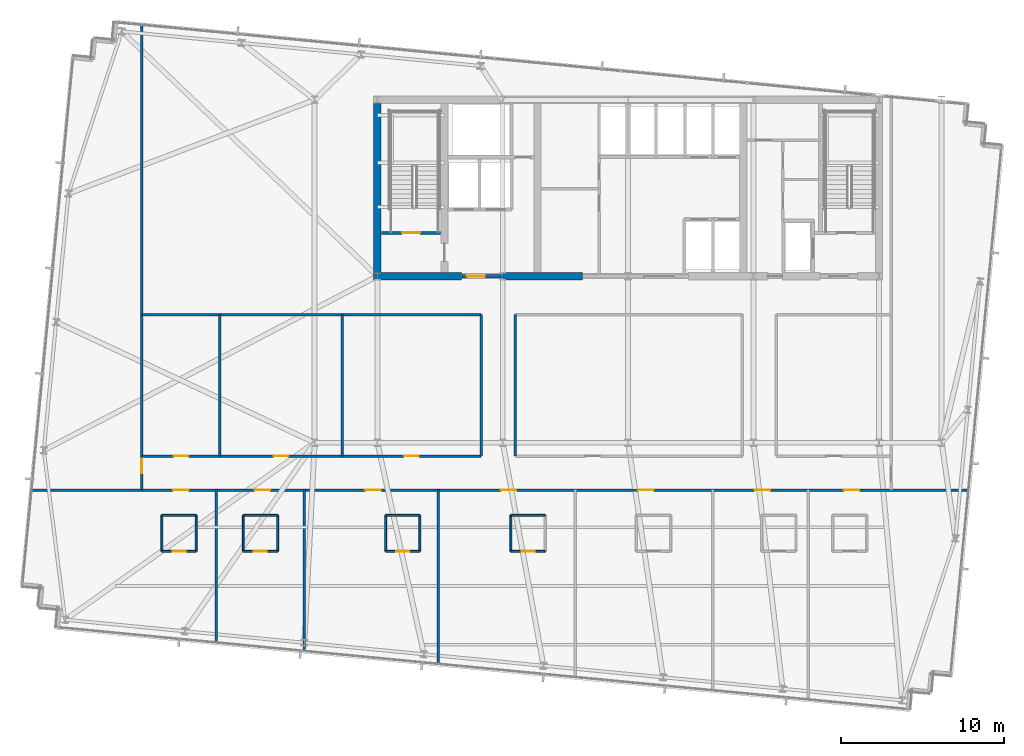
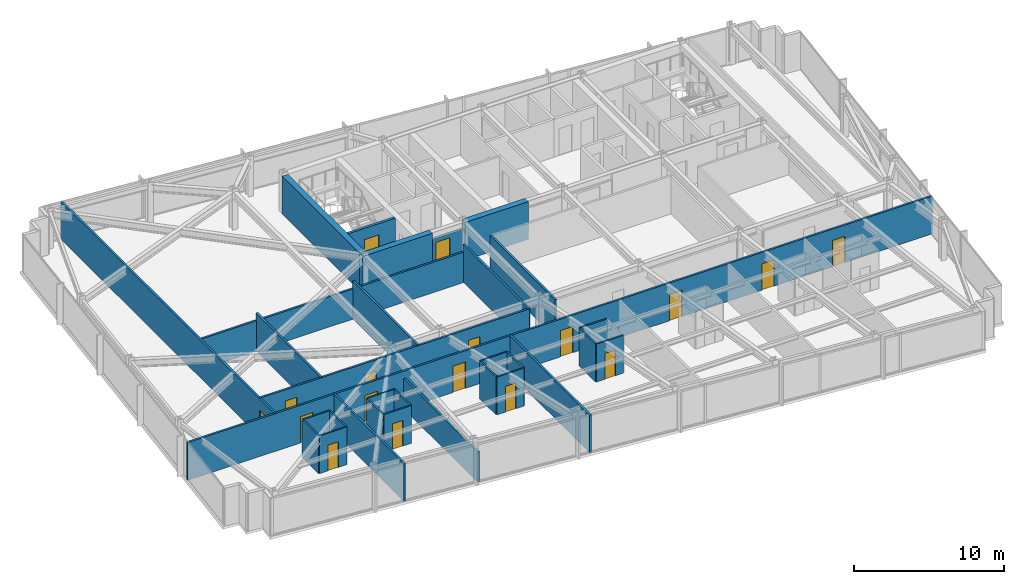
# One storey, part 29 of 37: 31 walls, 17 doors, 17 openings.
"""IFC4 building model written with IfcOpenShell, lengths in metres."""

from ifc_helpers import new_model, si_unit, direction, frame, frame_2d, origin, place, context, subcontext, project, spatial, rectangle, extrude, material, layer, layer_set, type_object, element, fill, save


model = new_model("IFC4")

# Units and contexts
model_context = context("Model", 3, precision=1e-05, world=origin(), true_north=direction((0.0, 1.0)))
body_context = subcontext(model_context, "Body", "Model", "MODEL_VIEW")
ifc_project = project(units=[si_unit("LENGTHUNIT", "METRE"), si_unit("AREAUNIT", "SQUARE_METRE"), si_unit("VOLUMEUNIT", "CUBIC_METRE"), si_unit("PLANEANGLEUNIT", "RADIAN"), si_unit("MASSUNIT", "GRAM", prefix="KILO")], contexts=[model_context])

# Site, building, storey
site_placement = place(None, origin())
site = spatial("IfcSite", under=ifc_project, at=site_placement, CompositionType="ELEMENT")
building_placement = place(site_placement, origin())
building = spatial("IfcBuilding", under=site, at=building_placement, Name="Yelkora Congress Tower", CompositionType="ELEMENT")
storey_placement = place(building_placement, frame((0.0, 0.0, 168.800048828125)))
storey = spatial("IfcBuildingStorey", under=building, at=storey_placement, Name="L46", CompositionType="ELEMENT", Elevation=168.800048828125)

# Walls
ifc_material_1 = material(Name="Concrete C60/75", Category="concrete")
ifc_layer_1 = layer(ifc_material_1, 0.449951171875)
ifc_layer_set_1 = layer_set([ifc_layer_1], Name="Concrete C60/75")
wall_type_1 = type_object("IfcWallType", Name="WALL-CORE-INT-450", PredefinedType="SHEAR", material=ifc_layer_set_1)
wall_1_placement = place(storey_placement, frame((22.81494140625, 35.39990234375, 0.0), z_axis=(0.0, 0.0, 1.0), x_axis=(1.0, 0.0, 0.0)))
element("IfcWall", 1, at=wall_1_placement, inside=storey, type_object=wall_type_1, Name="L46 Rear Core South-West Shear Wall", PredefinedType="SHEAR", context=body_context, shape_type="SweptSolid", body=[
    extrude(rectangle(XDim=5.385009765625, YDim=0.449951171875, at=frame_2d((2.6923828125, 0.0))), origin(), (0.0, 0.0, 1.0), 3.079833984375),
])
wall_2_placement = place(storey_placement, frame((30.719970703125, 35.39990234375, 0.0), z_axis=(0.0, 0.0, 1.0), x_axis=(1.0, 0.0, 0.0)))
element("IfcWall", 2, at=wall_2_placement, inside=storey, type_object=wall_type_1, Name="L46 Rear Core South-Center Shear Pier", PredefinedType="SHEAR", context=body_context, shape_type="SweptSolid", body=[
    extrude(rectangle(XDim=4.880126953125, YDim=0.449951171875, at=frame_2d((2.43994140625, 0.0))), origin(), (0.0, 0.0, 1.0), 3.079833984375),
])
wall_3_placement = place(storey_placement, frame((23.0400390625, 35.625, 0.0), z_axis=(0.0, 0.0, 1.0), x_axis=(0.0, 1.0, 0.0)))
element("IfcWall", 3, at=wall_3_placement, inside=storey, type_object=wall_type_1, Name="L46 Rear Core Cross Shear Wall W", PredefinedType="SHEAR", context=body_context, shape_type="SweptSolid", body=[
    extrude(rectangle(XDim=10.35009765625, YDim=0.449951171875, at=frame_2d((5.175048828125, 0.0))), origin(), (0.0, 0.0, 1.0), 3.079833984375),
])
ifc_material_2 = material(Name="Moisture-resistant gypsum partition", Category="gypsum")
ifc_layer_2 = layer(ifc_material_2, 0.1201171875)
ifc_layer_set_2 = layer_set([ifc_layer_2], Name="Moisture-resistant gypsum partition")
wall_type_2 = type_object("IfcWallType", Name="WALL-INT-120-NR", PredefinedType="PARTITIONING", material=ifc_layer_set_2)
wall_4_placement = place(storey_placement, frame((9.842041015625, 20.75, 0.0), z_axis=(0.0, 0.0, 1.0), x_axis=(1.0, 0.0, 0.0)))
element("IfcWall", 4, at=wall_4_placement, inside=storey, type_object=wall_type_2, Name="L46 Partition Wall 27", PredefinedType="PARTITIONING", context=body_context, shape_type="SweptSolid", body=[
    extrude(rectangle(XDim=2.099853515625, YDim=0.1201171875, at=frame_2d((1.0498046875, 0.0))), origin(), (0.0, 0.0, 1.0), 3.079833984375),
])
for number, where, z_axis, x_axis, name in (
    (5, (9.842041015625, 18.550048828125, 0.0), (0.0, 0.0, 1.0), (0.0, 1.0, 0.0), "L46 Partition Wall 28"),
    (6, (11.94189453125, 18.550048828125, 0.0), (0.0, 0.0, 1.0), (0.0, 1.0, 0.0), "L46 Partition Wall 29"),
):
    element("IfcWall", number, at=place(storey_placement, frame(where, z_axis=z_axis, x_axis=x_axis)), inside=storey, type_object=wall_type_2, Name=name, PredefinedType="PARTITIONING", context=body_context, shape_type="SweptSolid", body=[
        extrude(rectangle(XDim=2.199951171875, YDim=0.1201171875, at=frame_2d((1.10009765625, 0.0))), origin(), (0.0, 0.0, 1.0), 3.079833984375),
    ])

# Wall, opening, door
wall_5_placement = place(storey_placement, frame((9.842041015625, 18.550048828125, 0.0), z_axis=(0.0, 0.0, 1.0), x_axis=(1.0, 0.0, 0.0)))
wall_5 = element("IfcWall", 7, at=wall_5_placement, inside=storey, type_object=wall_type_2, Name="L46 Partition Wall 30", PredefinedType="PARTITIONING", context=body_context, shape_type="SweptSolid", body=[
    extrude(rectangle(XDim=2.099853515625, YDim=0.1201171875, at=frame_2d((1.0498046875, 0.0))), origin(), (0.0, 0.0, 1.0), 3.079833984375),
])
opening_1_placement = place(wall_5_placement, frame((0.64990234375, 0.0, 0.0)))
opening_1 = element("IfcOpeningElement", 8, at=opening_1_placement, cuts=wall_5, Name="Opening DR-080B", PredefinedType="OPENING", context=body_context, shape_type="SweptSolid", body=[
    extrude(rectangle(XDim=0.800048828125, YDim=2.10009765625, at=frame_2d((0.39990234375, 1.050048828125))), frame((0.0, 0.070068359375, 0.0), z_axis=(0.0, -1.0, 0.0), x_axis=(1.0, 0.0, 0.0)), (0.0, 0.0, 1.0), 0.14013671875),
])
ifc_material_3 = material(Name="Moisture-sealed en-suite timber door", Category="wood")
door_type_1 = type_object("IfcDoorType", Name="DOOR-BATH-800", OperationType="NOTDEFINED", PredefinedType="DOOR", material=ifc_material_3)
door_1_placement = place(opening_1_placement, origin())
door_1 = element("IfcDoor", 9, at=door_1_placement, inside=storey, type_object=door_type_1, Name="L46 En-suite Door 1", OperationType="SINGLE_SWING_LEFT", OverallHeight=2.10009765625, OverallWidth=0.800048828125, PredefinedType="DOOR", context=body_context, shape_type="SweptSolid", body=[
    extrude(rectangle(XDim=0.800048828125, YDim=2.10009765625, at=frame_2d((0.39990234375, 1.050048828125))), frame((0.0, 0.02490234375, 0.0), z_axis=(0.0, -1.0, 0.0), x_axis=(1.0, 0.0, 0.0)), (0.0, 0.0, 1.0), 0.050048828125),
])
fill(opening_1, door_1)

# Walls
wall_6_placement = place(storey_placement, frame((14.823974609375, 20.75, 0.0), z_axis=(0.0, 0.0, 1.0), x_axis=(1.0, 0.0, 0.0)))
element("IfcWall", 10, at=wall_6_placement, inside=storey, type_object=wall_type_2, Name="L46 Partition Wall 31", PredefinedType="PARTITIONING", context=body_context, shape_type="SweptSolid", body=[
    extrude(rectangle(XDim=2.10009765625, YDim=0.1201171875, at=frame_2d((1.050048828125, 0.0))), origin(), (0.0, 0.0, 1.0), 3.079833984375),
])
for number, where, z_axis, x_axis, name in (
    (11, (14.823974609375, 18.550048828125, 0.0), (0.0, 0.0, 1.0), (0.0, 1.0, 0.0), "L46 Partition Wall 32"),
    (12, (16.924072265625, 18.550048828125, 0.0), (0.0, 0.0, 1.0), (0.0, 1.0, 0.0), "L46 Partition Wall 33"),
):
    element("IfcWall", number, at=place(storey_placement, frame(where, z_axis=z_axis, x_axis=x_axis)), inside=storey, type_object=wall_type_2, Name=name, PredefinedType="PARTITIONING", context=body_context, shape_type="SweptSolid", body=[
        extrude(rectangle(XDim=2.199951171875, YDim=0.1201171875, at=frame_2d((1.10009765625, 0.0))), origin(), (0.0, 0.0, 1.0), 3.079833984375),
    ])

# Wall, opening, door
wall_7_placement = place(storey_placement, frame((14.823974609375, 18.550048828125, 0.0), z_axis=(0.0, 0.0, 1.0), x_axis=(1.0, 0.0, 0.0)))
wall_7 = element("IfcWall", 13, at=wall_7_placement, inside=storey, type_object=wall_type_2, Name="L46 Partition Wall 34", PredefinedType="PARTITIONING", context=body_context, shape_type="SweptSolid", body=[
    extrude(rectangle(XDim=2.10009765625, YDim=0.1201171875, at=frame_2d((1.050048828125, 0.0))), origin(), (0.0, 0.0, 1.0), 3.079833984375),
])
opening_2_placement = place(wall_7_placement, frame((0.64990234375, 0.0, 0.0)))
opening_2 = element("IfcOpeningElement", 14, at=opening_2_placement, cuts=wall_7, Name="Opening DR-080B", PredefinedType="OPENING", context=body_context, shape_type="SweptSolid", body=[
    extrude(rectangle(XDim=0.800048828125, YDim=2.10009765625, at=frame_2d((0.39990234375, 1.050048828125))), frame((0.0, 0.070068359375, 0.0), z_axis=(0.0, -1.0, 0.0), x_axis=(1.0, 0.0, 0.0)), (0.0, 0.0, 1.0), 0.14013671875),
])
door_2_placement = place(opening_2_placement, origin())
door_2 = element("IfcDoor", 15, at=door_2_placement, inside=storey, type_object=door_type_1, Name="L46 En-suite Door 2", OperationType="SINGLE_SWING_RIGHT", OverallHeight=2.10009765625, OverallWidth=0.800048828125, PredefinedType="DOOR", context=body_context, shape_type="SweptSolid", body=[
    extrude(rectangle(XDim=0.800048828125, YDim=2.10009765625, at=frame_2d((0.39990234375, 1.050048828125))), frame((0.0, 0.02490234375, 0.0), z_axis=(0.0, -1.0, 0.0), x_axis=(1.0, 0.0, 0.0)), (0.0, 0.0, 1.0), 0.050048828125),
])
fill(opening_2, door_2)

# Walls
wall_8_placement = place(storey_placement, frame((23.5400390625, 20.75, 0.0), z_axis=(0.0, 0.0, 1.0), x_axis=(1.0, 0.0, 0.0)))
element("IfcWall", 16, at=wall_8_placement, inside=storey, type_object=wall_type_2, Name="L46 Partition Wall 36", PredefinedType="PARTITIONING", context=body_context, shape_type="SweptSolid", body=[
    extrude(rectangle(XDim=2.099853515625, YDim=0.1201171875, at=frame_2d((1.0498046875, 0.0))), origin(), (0.0, 0.0, 1.0), 3.079833984375),
])
for number, where, z_axis, x_axis, name in (
    (17, (23.5400390625, 18.550048828125, 0.0), (0.0, 0.0, 1.0), (0.0, 1.0, 0.0), "L46 Partition Wall 37"),
    (18, (25.639892578125, 18.550048828125, 0.0), (0.0, 0.0, 1.0), (0.0, 1.0, 0.0), "L46 Partition Wall 38"),
):
    element("IfcWall", number, at=place(storey_placement, frame(where, z_axis=z_axis, x_axis=x_axis)), inside=storey, type_object=wall_type_2, Name=name, PredefinedType="PARTITIONING", context=body_context, shape_type="SweptSolid", body=[
        extrude(rectangle(XDim=2.199951171875, YDim=0.1201171875, at=frame_2d((1.10009765625, 0.0))), origin(), (0.0, 0.0, 1.0), 3.079833984375),
    ])

# Wall, opening, door
wall_9_placement = place(storey_placement, frame((23.5400390625, 18.550048828125, 0.0), z_axis=(0.0, 0.0, 1.0), x_axis=(1.0, 0.0, 0.0)))
wall_9 = element("IfcWall", 19, at=wall_9_placement, inside=storey, type_object=wall_type_2, Name="L46 Partition Wall 39", PredefinedType="PARTITIONING", context=body_context, shape_type="SweptSolid", body=[
    extrude(rectangle(XDim=2.099853515625, YDim=0.1201171875, at=frame_2d((1.0498046875, 0.0))), origin(), (0.0, 0.0, 1.0), 3.079833984375),
])
opening_3_placement = place(wall_9_placement, frame((0.64990234375, 0.0, 0.0)))
opening_3 = element("IfcOpeningElement", 20, at=opening_3_placement, cuts=wall_9, Name="Opening DR-080B", PredefinedType="OPENING", context=body_context, shape_type="SweptSolid", body=[
    extrude(rectangle(XDim=0.800048828125, YDim=2.10009765625, at=frame_2d((0.39990234375, 1.050048828125))), frame((0.0, 0.070068359375, 0.0), z_axis=(0.0, -1.0, 0.0), x_axis=(1.0, 0.0, 0.0)), (0.0, 0.0, 1.0), 0.14013671875),
])
door_3_placement = place(opening_3_placement, origin())
door_3 = element("IfcDoor", 21, at=door_3_placement, inside=storey, type_object=door_type_1, Name="L46 En-suite Door 3", OperationType="SINGLE_SWING_LEFT", OverallHeight=2.10009765625, OverallWidth=0.800048828125, PredefinedType="DOOR", context=body_context, shape_type="SweptSolid", body=[
    extrude(rectangle(XDim=0.800048828125, YDim=2.10009765625, at=frame_2d((0.39990234375, 1.050048828125))), frame((0.0, 0.02490234375, 0.0), z_axis=(0.0, -1.0, 0.0), x_axis=(1.0, 0.0, 0.0)), (0.0, 0.0, 1.0), 0.050048828125),
])
fill(opening_3, door_3)

# Walls
wall_10_placement = place(storey_placement, frame((31.219970703125, 20.75, 0.0), z_axis=(0.0, 0.0, 1.0), x_axis=(1.0, 0.0, 0.0)))
element("IfcWall", 22, at=wall_10_placement, inside=storey, type_object=wall_type_2, Name="L46 Partition Wall 41", PredefinedType="PARTITIONING", context=body_context, shape_type="SweptSolid", body=[
    extrude(rectangle(XDim=2.10009765625, YDim=0.1201171875, at=frame_2d((1.050048828125, 0.0))), origin(), (0.0, 0.0, 1.0), 3.079833984375),
])
wall_11_placement = place(storey_placement, frame((31.219970703125, 18.550048828125, 0.0), z_axis=(0.0, 0.0, 1.0), x_axis=(0.0, 1.0, 0.0)))
element("IfcWall", 23, at=wall_11_placement, inside=storey, type_object=wall_type_2, Name="L46 Partition Wall 42", PredefinedType="PARTITIONING", context=body_context, shape_type="SweptSolid", body=[
    extrude(rectangle(XDim=2.199951171875, YDim=0.1201171875, at=frame_2d((1.10009765625, 0.0))), origin(), (0.0, 0.0, 1.0), 3.079833984375),
])

# Wall, opening, door
wall_12_placement = place(storey_placement, frame((31.219970703125, 18.550048828125, 0.0), z_axis=(0.0, 0.0, 1.0), x_axis=(1.0, 0.0, 0.0)))
wall_12 = element("IfcWall", 24, at=wall_12_placement, inside=storey, type_object=wall_type_2, Name="L46 Partition Wall 44", PredefinedType="PARTITIONING", context=body_context, shape_type="SweptSolid", body=[
    extrude(rectangle(XDim=2.10009765625, YDim=0.1201171875, at=frame_2d((1.050048828125, 0.0))), origin(), (0.0, 0.0, 1.0), 3.079833984375),
])
opening_4_placement = place(wall_12_placement, frame((0.64990234375, 0.0, 0.0)))
opening_4 = element("IfcOpeningElement", 25, at=opening_4_placement, cuts=wall_12, Name="Opening DR-080B", PredefinedType="OPENING", context=body_context, shape_type="SweptSolid", body=[
    extrude(rectangle(XDim=0.800048828125, YDim=2.10009765625, at=frame_2d((0.39990234375, 1.050048828125))), frame((0.0, 0.070068359375, 0.0), z_axis=(0.0, -1.0, 0.0), x_axis=(1.0, 0.0, 0.0)), (0.0, 0.0, 1.0), 0.14013671875),
])
door_4_placement = place(opening_4_placement, origin())
door_4 = element("IfcDoor", 26, at=door_4_placement, inside=storey, type_object=door_type_1, Name="L46 En-suite Door 4", OperationType="SINGLE_SWING_RIGHT", OverallHeight=2.10009765625, OverallWidth=0.800048828125, PredefinedType="DOOR", context=body_context, shape_type="SweptSolid", body=[
    extrude(rectangle(XDim=0.800048828125, YDim=2.10009765625, at=frame_2d((0.39990234375, 1.050048828125))), frame((0.0, 0.02490234375, 0.0), z_axis=(0.0, -1.0, 0.0), x_axis=(1.0, 0.0, 0.0)), (0.0, 0.0, 1.0), 0.050048828125),
])
fill(opening_4, door_4)

ifc_material_4 = material(Name="Acoustic metal-stud gypsum partition", Category="gypsum")
ifc_layer_3 = layer(ifc_material_4, 0.14990234375)
ifc_layer_set_3 = layer_set([ifc_layer_3], Name="Acoustic metal-stud gypsum partition")
wall_type_3 = type_object("IfcWallType", Name="WALL-INT-150-NR", PredefinedType="PARTITIONING", material=ifc_layer_set_3)
wall_13_placement = place(storey_placement, frame((8.60107421875, 22.300048828125, 0.0), z_axis=(0.0, 0.0, 1.0), x_axis=(0.0, 1.0, 0.0)))
wall_13 = element("IfcWall", 27, at=wall_13_placement, inside=storey, type_object=wall_type_3, Name="L46 Partition Wall 62", PredefinedType="PARTITIONING", context=body_context, shape_type="SweptSolid", body=[
    extrude(rectangle(XDim=28.546630859375, YDim=0.14990234375, at=frame_2d((14.2734375, 0.0))), origin(), (0.0, 0.0, 1.0), 3.079833984375),
])
opening_5_placement = place(wall_13_placement, frame((1.030029296875, 0.0, 0.0)))
opening_5 = element("IfcOpeningElement", 28, at=opening_5_placement, cuts=wall_13, Name="Opening DR-090N", PredefinedType="OPENING", context=body_context, shape_type="SweptSolid", body=[
    extrude(rectangle(XDim=0.89990234375, YDim=2.14990234375, at=frame_2d((0.449951171875, 1.074951171875))), frame((0.0, 0.0849609375, 0.0), z_axis=(0.0, -1.0, 0.0), x_axis=(1.0, 0.0, 0.0)), (0.0, 0.0, 1.0), 0.169921875),
])
ifc_material_5 = material(Name="Moisture-resistant laminate door leaf", Category="wood")
door_type_2 = type_object("IfcDoorType", Name="DOOR-INT-900", OperationType="NOTDEFINED", PredefinedType="DOOR", material=ifc_material_5)
door_5_placement = place(opening_5_placement, origin())
door_5 = element("IfcDoor", 29, at=door_5_placement, inside=storey, type_object=door_type_2, Name="L46 W Wing Door", OperationType="SINGLE_SWING_LEFT", OverallHeight=2.14990234375, OverallWidth=0.89990234375, PredefinedType="DOOR", context=body_context, shape_type="SweptSolid", body=[
    extrude(rectangle(XDim=0.89990234375, YDim=2.14990234375, at=frame_2d((0.449951171875, 1.074951171875))), frame((0.0, 0.02490234375, 0.0), z_axis=(0.0, -1.0, 0.0), x_axis=(1.0, 0.0, 0.0)), (0.0, 0.0, 1.0), 0.050048828125),
])
fill(opening_5, door_5)

# Walls
for number, where, z_axis, x_axis, name in (
    (30, (29.39990234375, 24.3798828125, 0.0), (0.0, 0.0, 1.0), (0.0, 1.0, 0.0), "L46 Partition Wall 64"),
    (31, (31.47998046875, 24.3798828125, 0.0), (0.0, 0.0, 1.0), (0.0, 1.0, 0.0), "L46 Partition Wall 65"),
):
    element("IfcWall", number, at=place(storey_placement, frame(where, z_axis=z_axis, x_axis=x_axis)), inside=storey, type_object=wall_type_3, Name=name, PredefinedType="PARTITIONING", context=body_context, shape_type="SweptSolid", body=[
        extrude(rectangle(XDim=8.670166015625, YDim=0.14990234375, at=frame_2d((4.3349609375, 0.0))), origin(), (0.0, 0.0, 1.0), 3.079833984375),
    ])
wall_14_placement = place(storey_placement, frame((8.60107421875, 33.050048828125, 0.0), z_axis=(0.0, 0.0, 1.0), x_axis=(1.0, 0.0, 0.0)))
element("IfcWall", 32, at=wall_14_placement, inside=storey, type_object=wall_type_3, Name="L46 Partition Wall 68", PredefinedType="PARTITIONING", context=body_context, shape_type="SweptSolid", body=[
    extrude(rectangle(XDim=20.798828125, YDim=0.14990234375, at=frame_2d((10.3994140625, 0.0))), origin(), (0.0, 0.0, 1.0), 2.474853515625),
])
for number, where, z_axis, x_axis, name in (
    (33, (13.39794921875, 24.3798828125, 0.0), (0.0, 0.0, 1.0), (0.0, 1.0, 0.0), "L46 Partition Wall 71"),
    (34, (20.875, 24.3798828125, 0.0), (0.0, 0.0, 1.0), (0.0, 1.0, 0.0), "L46 Partition Wall 72"),
):
    element("IfcWall", number, at=place(storey_placement, frame(where, z_axis=z_axis, x_axis=x_axis)), inside=storey, type_object=wall_type_3, Name=name, PredefinedType="PARTITIONING", context=body_context, shape_type="SweptSolid", body=[
        extrude(rectangle(XDim=8.670166015625, YDim=0.14990234375, at=frame_2d((4.3349609375, 0.0))), origin(), (0.0, 0.0, 1.0), 3.079833984375),
    ])

# Wall, openings, doors
wall_15_placement = place(storey_placement, frame((8.62109375, 24.3798828125, 0.0), z_axis=(0.0, 0.0, 1.0), x_axis=(1.0, 0.0, 0.0)))
wall_15 = element("IfcWall", 35, at=wall_15_placement, inside=storey, type_object=wall_type_3, Name="L46 Partition Wall 73", PredefinedType="PARTITIONING", context=body_context, shape_type="SweptSolid", body=[
    extrude(rectangle(XDim=20.768798828125, YDim=0.14990234375, at=frame_2d((10.38427734375, 0.0))), origin(), (0.0, 0.0, 1.0), 3.079833984375),
])
opening_6_placement = place(wall_15_placement, frame((1.9384765625, 0.0, 0.0)))
opening_6 = element("IfcOpeningElement", 36, at=opening_6_placement, cuts=wall_15, Name="Opening DR-090N", PredefinedType="OPENING", context=body_context, shape_type="SweptSolid", body=[
    extrude(rectangle(XDim=0.89990234375, YDim=2.14990234375, at=frame_2d((0.449951171875, 1.074951171875))), frame((0.0, 0.0849609375, 0.0), z_axis=(0.0, -1.0, 0.0), x_axis=(1.0, 0.0, 0.0)), (0.0, 0.0, 1.0), 0.169921875),
])
opening_7_placement = place(wall_15_placement, frame((8.0654296875, 0.0, 0.0)))
opening_7 = element("IfcOpeningElement", 37, at=opening_7_placement, cuts=wall_15, Name="Opening DR-090N", PredefinedType="OPENING", context=body_context, shape_type="SweptSolid", body=[
    extrude(rectangle(XDim=0.89990234375, YDim=2.14990234375, at=frame_2d((0.449951171875, 1.074951171875))), frame((0.0, 0.0849609375, 0.0), z_axis=(0.0, -1.0, 0.0), x_axis=(1.0, 0.0, 0.0)), (0.0, 0.0, 1.0), 0.169921875),
])
opening_8_placement = place(wall_15_placement, frame((16.0615234375, 0.0, 0.0)))
opening_8 = element("IfcOpeningElement", 38, at=opening_8_placement, cuts=wall_15, Name="Opening DR-090N", PredefinedType="OPENING", context=body_context, shape_type="SweptSolid", body=[
    extrude(rectangle(XDim=0.89990234375, YDim=2.14990234375, at=frame_2d((0.449951171875, 1.074951171875))), frame((0.0, 0.0849609375, 0.0), z_axis=(0.0, -1.0, 0.0), x_axis=(1.0, 0.0, 0.0)), (0.0, 0.0, 1.0), 0.169921875),
])
door_6_placement = place(opening_6_placement, origin())
door_6 = element("IfcDoor", 39, at=door_6_placement, inside=storey, type_object=door_type_2, Name="L46 Housekeeping & Linen Room Door", OperationType="SINGLE_SWING_LEFT", OverallHeight=2.14990234375, OverallWidth=0.89990234375, PredefinedType="DOOR", context=body_context, shape_type="SweptSolid", body=[
    extrude(rectangle(XDim=0.89990234375, YDim=2.14990234375, at=frame_2d((0.449951171875, 1.074951171875))), frame((0.0, 0.02490234375, 0.0), z_axis=(0.0, -1.0, 0.0), x_axis=(1.0, 0.0, 0.0)), (0.0, 0.0, 1.0), 0.050048828125),
])
fill(opening_6, door_6)
door_7_placement = place(opening_7_placement, origin())
door_7 = element("IfcDoor", 40, at=door_7_placement, inside=storey, type_object=door_type_2, Name="L46 Diplomatic Day Lounge Door", OperationType="SINGLE_SWING_RIGHT", OverallHeight=2.14990234375, OverallWidth=0.89990234375, PredefinedType="DOOR", context=body_context, shape_type="SweptSolid", body=[
    extrude(rectangle(XDim=0.89990234375, YDim=2.14990234375, at=frame_2d((0.449951171875, 1.074951171875))), frame((0.0, 0.02490234375, 0.0), z_axis=(0.0, -1.0, 0.0), x_axis=(1.0, 0.0, 0.0)), (0.0, 0.0, 1.0), 0.050048828125),
])
fill(opening_7, door_7)
door_8_placement = place(opening_8_placement, origin())
door_8 = element("IfcDoor", 41, at=door_8_placement, inside=storey, type_object=door_type_2, Name="L46 First-Aid Treatment Room Door", OperationType="SINGLE_SWING_LEFT", OverallHeight=2.14990234375, OverallWidth=0.89990234375, PredefinedType="DOOR", context=body_context, shape_type="SweptSolid", body=[
    extrude(rectangle(XDim=0.89990234375, YDim=2.14990234375, at=frame_2d((0.449951171875, 1.074951171875))), frame((0.0, 0.02490234375, 0.0), z_axis=(0.0, -1.0, 0.0), x_axis=(1.0, 0.0, 0.0)), (0.0, 0.0, 1.0), 0.050048828125),
])
fill(opening_8, door_8)

# Walls
ifc_material_6 = material(Name="Twin-stud fire-rated gypsum partition", Category="gypsum")
ifc_layer_4 = layer(ifc_material_6, 0.14990234375)
ifc_layer_set_4 = layer_set([ifc_layer_4], Name="Twin-stud fire-rated gypsum partition")
wall_type_4 = type_object("IfcWallType", Name="WALL-INT-150-R60", PredefinedType="PARTITIONING", material=ifc_layer_set_4)
wall_16_placement = place(storey_placement, frame((13.18310546875, 12.892578125, 0.0), z_axis=(0.0, 0.0, 1.0), x_axis=(0.0, 1.0, 0.0)))
element("IfcWall", 42, at=wall_16_placement, inside=storey, type_object=wall_type_4, Name="L46 Partition Wall 35", PredefinedType="PARTITIONING", context=body_context, shape_type="SweptSolid", body=[
    extrude(rectangle(XDim=9.427490234375, YDim=0.14990234375, at=frame_2d((4.7138671875, 0.0))), origin(), (0.0, 0.0, 1.0), 3.079833984375),
])
wall_17_placement = place(storey_placement, frame((18.56591796875, 12.374267578125, 0.0), z_axis=(0.0, 0.0, 1.0), x_axis=(0.0, 1.0, 0.0)))
element("IfcWall", 43, at=wall_17_placement, inside=storey, type_object=wall_type_4, Name="L46 Partition Wall 40", PredefinedType="PARTITIONING", context=body_context, shape_type="SweptSolid", body=[
    extrude(rectangle(XDim=9.94580078125, YDim=0.14990234375, at=frame_2d((4.972900390625, 0.0))), origin(), (0.0, 0.0, 1.0), 2.474853515625),
])
wall_18_placement = place(storey_placement, frame((26.76806640625, 11.584716796875, 0.0), z_axis=(0.0, 0.0, 1.0), x_axis=(0.0, 1.0, 0.0)))
element("IfcWall", 44, at=wall_18_placement, inside=storey, type_object=wall_type_4, Name="L46 Partition Wall 45", PredefinedType="PARTITIONING", context=body_context, shape_type="SweptSolid", body=[
    extrude(rectangle(XDim=10.7353515625, YDim=0.14990234375, at=frame_2d((5.36767578125, 0.0))), origin(), (0.0, 0.0, 1.0), 3.079833984375),
])

# Wall, openings, doors
wall_19_placement = place(storey_placement, frame((1.80078125, 22.300048828125, 0.0), z_axis=(0.0, 0.0, 1.0), x_axis=(1.0, 0.0, 0.0)))
wall_19 = element("IfcWall", 45, at=wall_19_placement, inside=storey, type_object=wall_type_4, Name="L46 South Spine Wall", PredefinedType="PARTITIONING", context=body_context, shape_type="SweptSolid", body=[
    extrude(rectangle(XDim=57.504638671875, YDim=0.14990234375, at=frame_2d((28.75244140625, 0.0))), origin(), (0.0, 0.0, 1.0), 3.079833984375),
])
opening_9_placement = place(wall_19_placement, frame((8.731201171875, 0.0, 0.0)))
opening_9 = element("IfcOpeningElement", 46, at=opening_9_placement, cuts=wall_19, Name="Opening DR-095F6", PredefinedType="OPENING", context=body_context, shape_type="SweptSolid", body=[
    extrude(rectangle(XDim=0.949951171875, YDim=2.14990234375, at=frame_2d((0.47509765625, 1.074951171875))), frame((0.0, 0.0849609375, 0.0), z_axis=(0.0, -1.0, 0.0), x_axis=(1.0, 0.0, 0.0)), (0.0, 0.0, 1.0), 0.169921875),
])
opening_10_placement = place(wall_19_placement, frame((13.7138671875, 0.0, 0.0)))
opening_10 = element("IfcOpeningElement", 47, at=opening_10_placement, cuts=wall_19, Name="Opening DR-095F6", PredefinedType="OPENING", context=body_context, shape_type="SweptSolid", body=[
    extrude(rectangle(XDim=0.949951171875, YDim=2.14990234375, at=frame_2d((0.47509765625, 1.074951171875))), frame((0.0, 0.0849609375, 0.0), z_axis=(0.0, -1.0, 0.0), x_axis=(1.0, 0.0, 0.0)), (0.0, 0.0, 1.0), 0.169921875),
])
opening_11_placement = place(wall_19_placement, frame((20.50634765625, 0.0, 0.0)))
opening_11 = element("IfcOpeningElement", 48, at=opening_11_placement, cuts=wall_19, Name="Opening DR-095F6", PredefinedType="OPENING", context=body_context, shape_type="SweptSolid", body=[
    extrude(rectangle(XDim=0.949951171875, YDim=2.14990234375, at=frame_2d((0.47509765625, 1.074951171875))), frame((0.0, 0.0849609375, 0.0), z_axis=(0.0, -1.0, 0.0), x_axis=(1.0, 0.0, 0.0)), (0.0, 0.0, 1.0), 0.169921875),
])
opening_12_placement = place(wall_19_placement, frame((28.807861328125, 0.0, 0.0)))
opening_12 = element("IfcOpeningElement", 49, at=opening_12_placement, cuts=wall_19, Name="Opening DR-095F6", PredefinedType="OPENING", context=body_context, shape_type="SweptSolid", body=[
    extrude(rectangle(XDim=0.949951171875, YDim=2.14990234375, at=frame_2d((0.47509765625, 1.074951171875))), frame((0.0, 0.0849609375, 0.0), z_axis=(0.0, -1.0, 0.0), x_axis=(1.0, 0.0, 0.0)), (0.0, 0.0, 1.0), 0.169921875),
])
opening_13_placement = place(wall_19_placement, frame((37.208740234375, 0.0, 0.0)))
opening_13 = element("IfcOpeningElement", 50, at=opening_13_placement, cuts=wall_19, Name="Opening DR-095F6", PredefinedType="OPENING", context=body_context, shape_type="SweptSolid", body=[
    extrude(rectangle(XDim=0.949951171875, YDim=2.14990234375, at=frame_2d((0.47509765625, 1.074951171875))), frame((0.0, 0.0849609375, 0.0), z_axis=(0.0, -1.0, 0.0), x_axis=(1.0, 0.0, 0.0)), (0.0, 0.0, 1.0), 0.169921875),
])
opening_14_placement = place(wall_19_placement, frame((44.34326171875, 0.0, 0.0)))
opening_14 = element("IfcOpeningElement", 51, at=opening_14_placement, cuts=wall_19, Name="Opening DR-095F6", PredefinedType="OPENING", context=body_context, shape_type="SweptSolid", body=[
    extrude(rectangle(XDim=0.949951171875, YDim=2.14990234375, at=frame_2d((0.47509765625, 1.074951171875))), frame((0.0, 0.0849609375, 0.0), z_axis=(0.0, -1.0, 0.0), x_axis=(1.0, 0.0, 0.0)), (0.0, 0.0, 1.0), 0.169921875),
])
opening_15_placement = place(wall_19_placement, frame((49.811279296875, 0.0, 0.0)))
opening_15 = element("IfcOpeningElement", 52, at=opening_15_placement, cuts=wall_19, Name="Opening DR-095F6", PredefinedType="OPENING", context=body_context, shape_type="SweptSolid", body=[
    extrude(rectangle(XDim=0.949951171875, YDim=2.14990234375, at=frame_2d((0.47509765625, 1.074951171875))), frame((0.0, 0.0849609375, 0.0), z_axis=(0.0, -1.0, 0.0), x_axis=(1.0, 0.0, 0.0)), (0.0, 0.0, 1.0), 0.169921875),
])
ifc_material_7 = material(Name="Acoustic oak-veneer fire door leaf", Category="wood")
door_type_3 = type_object("IfcDoorType", Name="DOOR-FD60-950", OperationType="NOTDEFINED", PredefinedType="DOOR", material=ifc_material_7)
door_9_placement = place(opening_9_placement, origin())
door_9 = element("IfcDoor", 53, at=door_9_placement, inside=storey, type_object=door_type_3, Name="L46 Diplomatic Suite 01 Entry Door", OperationType="SINGLE_SWING_RIGHT", OverallHeight=2.14990234375, OverallWidth=0.949951171875, PredefinedType="DOOR", context=body_context, shape_type="SweptSolid", body=[
    extrude(rectangle(XDim=0.949951171875, YDim=2.14990234375, at=frame_2d((0.47509765625, 1.074951171875))), frame((0.0, 0.02490234375, 0.0), z_axis=(0.0, -1.0, 0.0), x_axis=(1.0, 0.0, 0.0)), (0.0, 0.0, 1.0), 0.050048828125),
])
fill(opening_9, door_9)
door_10_placement = place(opening_10_placement, origin())
door_10 = element("IfcDoor", 54, at=door_10_placement, inside=storey, type_object=door_type_3, Name="L46 Diplomatic Suite 02 Entry Door", OperationType="SINGLE_SWING_LEFT", OverallHeight=2.14990234375, OverallWidth=0.949951171875, PredefinedType="DOOR", context=body_context, shape_type="SweptSolid", body=[
    extrude(rectangle(XDim=0.949951171875, YDim=2.14990234375, at=frame_2d((0.47509765625, 1.074951171875))), frame((0.0, 0.02490234375, 0.0), z_axis=(0.0, -1.0, 0.0), x_axis=(1.0, 0.0, 0.0)), (0.0, 0.0, 1.0), 0.050048828125),
])
fill(opening_10, door_10)
door_11_placement = place(opening_11_placement, origin())
door_11 = element("IfcDoor", 55, at=door_11_placement, inside=storey, type_object=door_type_3, Name="L46 Diplomatic Suite 03 Entry Door", OperationType="SINGLE_SWING_RIGHT", OverallHeight=2.14990234375, OverallWidth=0.949951171875, PredefinedType="DOOR", context=body_context, shape_type="SweptSolid", body=[
    extrude(rectangle(XDim=0.949951171875, YDim=2.14990234375, at=frame_2d((0.47509765625, 1.074951171875))), frame((0.0, 0.02490234375, 0.0), z_axis=(0.0, -1.0, 0.0), x_axis=(1.0, 0.0, 0.0)), (0.0, 0.0, 1.0), 0.050048828125),
])
fill(opening_11, door_11)
door_12_placement = place(opening_12_placement, origin())
door_12 = element("IfcDoor", 56, at=door_12_placement, inside=storey, type_object=door_type_3, Name="L46 Diplomatic Suite 04 Entry Door", OperationType="SINGLE_SWING_LEFT", OverallHeight=2.14990234375, OverallWidth=0.949951171875, PredefinedType="DOOR", context=body_context, shape_type="SweptSolid", body=[
    extrude(rectangle(XDim=0.949951171875, YDim=2.14990234375, at=frame_2d((0.47509765625, 1.074951171875))), frame((0.0, 0.02490234375, 0.0), z_axis=(0.0, -1.0, 0.0), x_axis=(1.0, 0.0, 0.0)), (0.0, 0.0, 1.0), 0.050048828125),
])
fill(opening_12, door_12)
door_13_placement = place(opening_13_placement, origin())
door_13 = element("IfcDoor", 57, at=door_13_placement, inside=storey, type_object=door_type_3, Name="L46 Diplomatic Suite 05 Entry Door", OperationType="SINGLE_SWING_RIGHT", OverallHeight=2.14990234375, OverallWidth=0.949951171875, PredefinedType="DOOR", context=body_context, shape_type="SweptSolid", body=[
    extrude(rectangle(XDim=0.949951171875, YDim=2.14990234375, at=frame_2d((0.47509765625, 1.074951171875))), frame((0.0, 0.02490234375, 0.0), z_axis=(0.0, -1.0, 0.0), x_axis=(1.0, 0.0, 0.0)), (0.0, 0.0, 1.0), 0.050048828125),
])
fill(opening_13, door_13)
door_14_placement = place(opening_14_placement, origin())
door_14 = element("IfcDoor", 58, at=door_14_placement, inside=storey, type_object=door_type_3, Name="L46 Hotel Guest Room 06 Entry Door", OperationType="SINGLE_SWING_LEFT", OverallHeight=2.14990234375, OverallWidth=0.949951171875, PredefinedType="DOOR", context=body_context, shape_type="SweptSolid", body=[
    extrude(rectangle(XDim=0.949951171875, YDim=2.14990234375, at=frame_2d((0.47509765625, 1.074951171875))), frame((0.0, 0.02490234375, 0.0), z_axis=(0.0, -1.0, 0.0), x_axis=(1.0, 0.0, 0.0)), (0.0, 0.0, 1.0), 0.050048828125),
])
fill(opening_14, door_14)
door_15_placement = place(opening_15_placement, origin())
door_15 = element("IfcDoor", 59, at=door_15_placement, inside=storey, type_object=door_type_3, Name="L46 Diplomatic Suite 07 Entry Door", OperationType="SINGLE_SWING_RIGHT", OverallHeight=2.14990234375, OverallWidth=0.949951171875, PredefinedType="DOOR", context=body_context, shape_type="SweptSolid", body=[
    extrude(rectangle(XDim=0.949951171875, YDim=2.14990234375, at=frame_2d((0.47509765625, 1.074951171875))), frame((0.0, 0.02490234375, 0.0), z_axis=(0.0, -1.0, 0.0), x_axis=(1.0, 0.0, 0.0)), (0.0, 0.0, 1.0), 0.050048828125),
])
fill(opening_15, door_15)

# Wall, opening, door
ifc_material_8 = material(Name="Autoclaved aerated concrete blockwork", Category="masonry")
ifc_layer_5 = layer(ifc_material_8, 0.199951171875)
ifc_layer_set_5 = layer_set([ifc_layer_5], Name="Autoclaved aerated concrete blockwork")
wall_type_5 = type_object("IfcWallType", Name="WALL-INT-200-R120", PredefinedType="PARTITIONING", material=ifc_layer_set_5)
wall_20_placement = place(storey_placement, frame((23.300048828125, 38.050048828125, 0.0), z_axis=(0.0, 0.0, 1.0), x_axis=(1.0, 0.0, 0.0)))
wall_20 = element("IfcWall", 60, at=wall_20_placement, inside=storey, type_object=wall_type_5, Name="L46 Stair ST-01 Enclosure Wall", PredefinedType="PARTITIONING", context=body_context, shape_type="SweptSolid", body=[
    extrude(rectangle(XDim=3.619873046875, YDim=0.199951171875, at=frame_2d((1.81005859375, 0.0))), origin(), (0.0, 0.0, 1.0), 3.079833984375),
])
opening_16_placement = place(wall_20_placement, frame((1.260009765625, 0.0, 0.0)))
opening_16 = element("IfcOpeningElement", 61, at=opening_16_placement, cuts=wall_20, Name="Opening DR-110F9", PredefinedType="OPENING", context=body_context, shape_type="SweptSolid", body=[
    extrude(rectangle(XDim=1.10009765625, YDim=2.14990234375, at=frame_2d((0.550048828125, 1.074951171875))), frame((0.0, 0.10986328125, 0.0), z_axis=(0.0, -1.0, 0.0), x_axis=(1.0, 0.0, 0.0)), (0.0, 0.0, 1.0), 0.219970703125),
])
ifc_material_9 = material(Name="Galvanised steel fire door leaf", Category="steel")
door_type_4 = type_object("IfcDoorType", Name="DOOR-FD90-1100", OperationType="NOTDEFINED", PredefinedType="DOOR", material=ifc_material_9)
door_16_placement = place(opening_16_placement, origin())
door_16 = element("IfcDoor", 62, at=door_16_placement, inside=storey, type_object=door_type_4, Name="L46 Stair ST-01 Entry Door", OperationType="SINGLE_SWING_LEFT", OverallHeight=2.14990234375, OverallWidth=1.10009765625, PredefinedType="DOOR", context=body_context, shape_type="SweptSolid", body=[
    extrude(rectangle(XDim=1.10009765625, YDim=2.14990234375, at=frame_2d((0.550048828125, 1.074951171875))), frame((0.0, 0.02490234375, 0.0), z_axis=(0.0, -1.0, 0.0), x_axis=(1.0, 0.0, 0.0)), (0.0, 0.0, 1.0), 0.050048828125),
])
fill(opening_16, door_16)

wall_21_placement = place(storey_placement, frame((28.219970703125, 35.39990234375, 0.0), z_axis=(0.0, 0.0, 1.0), x_axis=(1.0, 0.0, 0.0)))
wall_21 = element("IfcWall", 63, at=wall_21_placement, inside=storey, type_object=wall_type_5, Name="L46 Firefighting Lobby South Wall", PredefinedType="PARTITIONING", context=body_context, shape_type="SweptSolid", body=[
    extrude(rectangle(XDim=2.5, YDim=0.199951171875, at=frame_2d((1.25, 0.0))), origin(), (0.0, 0.0, 1.0), 2.474853515625),
])
opening_17_placement = place(wall_21_placement, frame((0.300048828125, 0.0, 0.0)))
opening_17 = element("IfcOpeningElement", 64, at=opening_17_placement, cuts=wall_21, Name="Opening DR-110F9", PredefinedType="OPENING", context=body_context, shape_type="SweptSolid", body=[
    extrude(rectangle(XDim=1.10009765625, YDim=2.14990234375, at=frame_2d((0.550048828125, 1.074951171875))), frame((0.0, 0.10986328125, 0.0), z_axis=(0.0, -1.0, 0.0), x_axis=(1.0, 0.0, 0.0)), (0.0, 0.0, 1.0), 0.219970703125),
])
door_17_placement = place(opening_17_placement, origin())
door_17 = element("IfcDoor", 65, at=door_17_placement, inside=storey, type_object=door_type_4, Name="L46 Firefighting Lobby Corridor Door", OperationType="SINGLE_SWING_RIGHT", OverallHeight=2.14990234375, OverallWidth=1.10009765625, PredefinedType="DOOR", context=body_context, shape_type="SweptSolid", body=[
    extrude(rectangle(XDim=1.10009765625, YDim=2.14990234375, at=frame_2d((0.550048828125, 1.074951171875))), frame((0.0, 0.02490234375, 0.0), z_axis=(0.0, -1.0, 0.0), x_axis=(1.0, 0.0, 0.0)), (0.0, 0.0, 1.0), 0.050048828125),
])
fill(opening_17, door_17)

save(model, "model.ifc")
